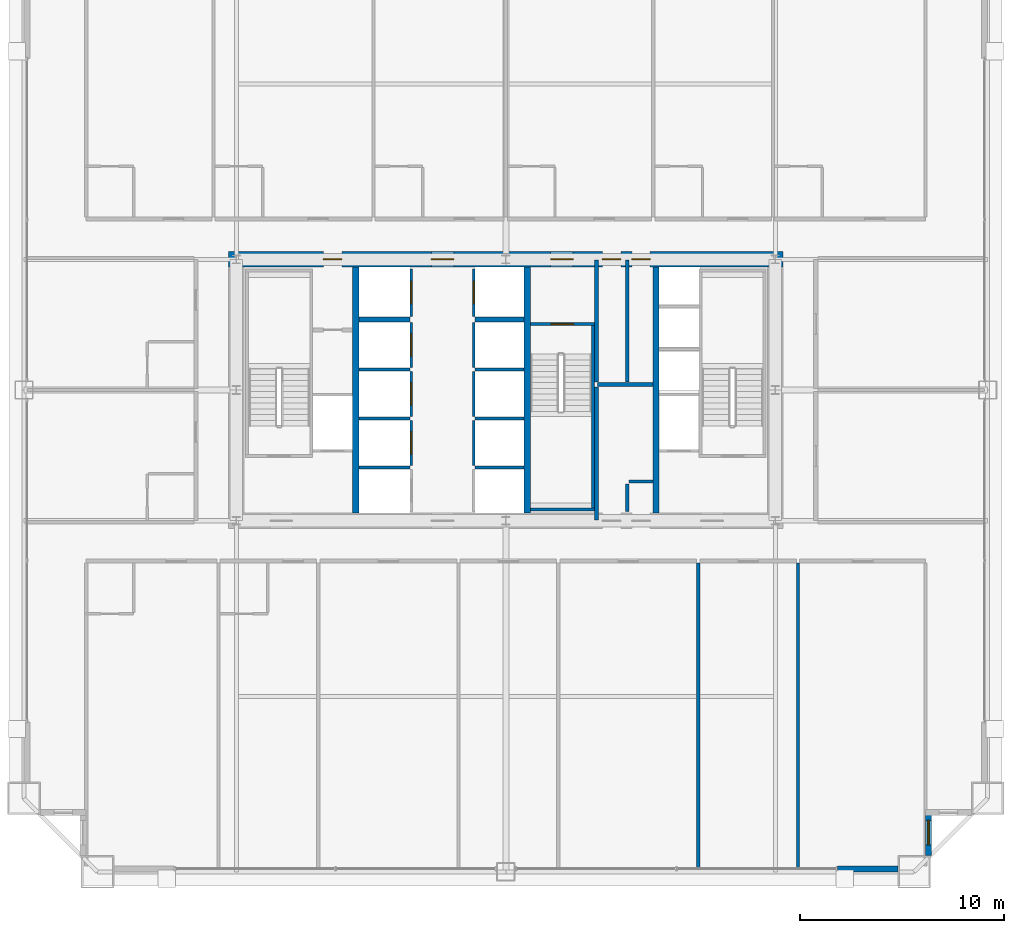
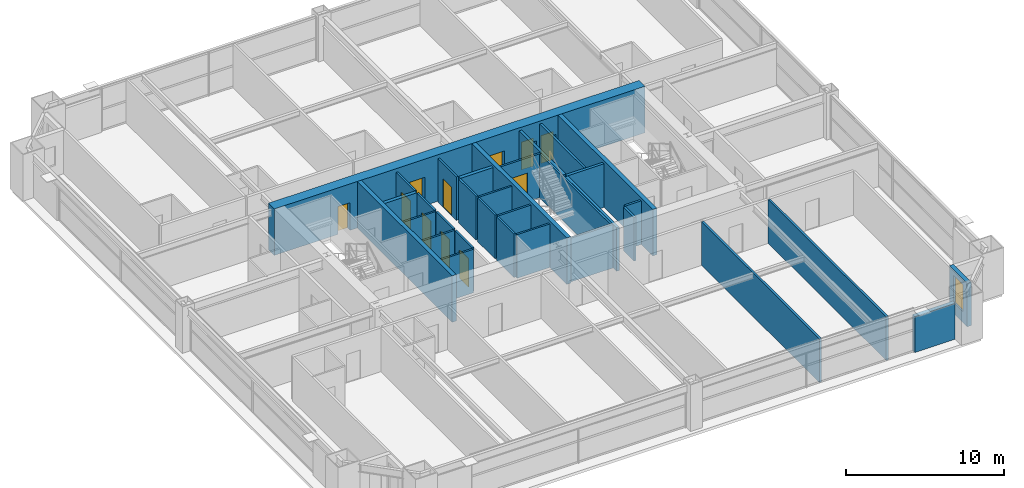
# One storey, part 36 of 39: 33 walls, 11 doors, 1 window, 12 openings.
"""IFC4 building model written with IfcOpenShell, lengths in metres."""

import ifcopenshell
import ifcopenshell.guid

model = None  # the IFC model being written
_history = None  # IfcOwnerHistory: only IFC2X3 demands one
_inside = {}  # id of a spatial element -> (the spatial element, [elements in it])
_under = {}  # id of a project, library or spatial element -> (it, [spatial elements below it])
_declared = {}  # id of a project -> (the project, [libraries it declares])
_typed = {}  # id of a type object -> (the type object, [elements of that type])
_made_of = {}  # id of a material, layer set ... -> (it, [elements and type objects made of it])


def new_model(schema):
    """Start an empty IFC model of exactly this schema.

    Asked for "IFC4X3", IfcOpenShell would pick the latest addendum, in which some entities
    have other attributes; the version numbers below select the first issue.
    IFC2X3 requires an IfcOwnerHistory on every rooted entity: one is made here for all.
    """
    global model, _history
    if schema == "IFC4X3":
        model = ifcopenshell.file(schema_version=(4, 3, 0, 0))
    else:
        model = ifcopenshell.file(schema=schema)
    _inside.clear()
    _under.clear()
    _declared.clear()
    _typed.clear()
    _made_of.clear()
    _history = None
    if model.schema == "IFC2X3":
        org = make("IfcOrganization", Name="unknown")
        user = make(
            "IfcPersonAndOrganization",
            ThePerson=make("IfcPerson", FamilyName="unknown"),
            TheOrganization=org,
        )
        app = make(
            "IfcApplication",
            ApplicationDeveloper=org,
            Version="unknown",
            ApplicationFullName="unknown",
            ApplicationIdentifier="unknown",
        )
        _history = make(
            "IfcOwnerHistory",
            OwningUser=user,
            OwningApplication=app,
            ChangeAction="ADDED",
            CreationDate=0,
        )
    return model


def make(cls, **values):
    """One entity of the class cls with the attributes given. An attribute that is None is left unset."""
    return model.create_entity(
        cls, **{name: value for name, value in values.items() if value is not None}
    )


def rooted(cls, **values):
    """An entity with a GlobalId (a new one), such as an element, a storey or a relation."""
    return make(cls, GlobalId=ifcopenshell.guid.new(), OwnerHistory=_history, **values)


def si_unit(unit_type, name, prefix=None):
    """IfcSIUnit, for example si_unit("LENGTHUNIT", "METRE", prefix="MILLI")."""
    return make("IfcSIUnit", UnitType=unit_type, Prefix=prefix, Name=name)


def assignment(units):
    """IfcUnitAssignment: the units of a project."""
    return None if units is None else make("IfcUnitAssignment", Units=units)


def point(xyz):
    """IfcCartesianPoint."""
    return None if xyz is None else make("IfcCartesianPoint", Coordinates=xyz)


def direction(xyz):
    """IfcDirection."""
    return None if xyz is None else make("IfcDirection", DirectionRatios=xyz)


def frame(location, z_axis=None, x_axis=None):
    """IfcAxis2Placement3D, a coordinate frame: its origin and axes. An axis left out is left unset."""
    return make(
        "IfcAxis2Placement3D",
        Location=point(location),
        Axis=direction(z_axis),
        RefDirection=direction(x_axis),
    )


def frame_2d(location, x_axis=None):
    """IfcAxis2Placement2D, a coordinate frame in the plane: its origin and x axis."""
    return make(
        "IfcAxis2Placement2D", Location=point(location), RefDirection=direction(x_axis)
    )


def origin():
    """The frame at (0, 0, 0) with its axes left unset."""
    return frame((0.0, 0.0, 0.0))


def place(relative_to, where):
    """IfcLocalPlacement: puts the frame where relative to a parent placement (None: the world)."""
    return make(
        "IfcLocalPlacement", PlacementRelTo=relative_to, RelativePlacement=where
    )


def context(
    kind, dimensions, precision=None, world=None, true_north=None, identifier=None
):
    """IfcGeometricRepresentationContext, for example the 3D "Model" context."""
    return make(
        "IfcGeometricRepresentationContext",
        ContextIdentifier=identifier,
        ContextType=kind,
        CoordinateSpaceDimension=dimensions,
        Precision=precision,
        WorldCoordinateSystem=world,
        TrueNorth=true_north,
    )


def subcontext(parent, identifier, kind, view, scale=None):
    """IfcGeometricRepresentationSubContext, for example "Body" below "Model"."""
    return make(
        "IfcGeometricRepresentationSubContext",
        ContextIdentifier=identifier,
        ContextType=kind,
        ParentContext=parent,
        TargetScale=scale,
        TargetView=view,
    )


def project(units=None, contexts=None):
    """IfcProject with its units and contexts."""
    return rooted(
        "IfcProject",
        Name="project",
        RepresentationContexts=contexts,
        UnitsInContext=assignment(units),
    )


def spatial(cls, under=None, at=None, **own):
    """A site, building, storey or space (cls), placed at a placement, below another one or the project."""
    s = rooted(cls, ObjectPlacement=at, **own)
    if under is not None:
        _under.setdefault(under.id(), (under, []))[1].append(s)
    return s


def profile(cls, at=None, kind="AREA", **sizes):
    """A parametric profile (cls). Its sizes go by their IFC names, for example OverallWidth=200.0."""
    return make(cls, ProfileType=kind, Position=at, **sizes)


def rectangle(**sizes):
    """IfcRectangleProfileDef."""
    return profile("IfcRectangleProfileDef", **sizes)


def extrude(swept, where, along, depth):
    """IfcExtrudedAreaSolid: the profile swept, set in the frame where, extruded along a direction by depth."""
    return make(
        "IfcExtrudedAreaSolid",
        SweptArea=swept,
        Position=where,
        ExtrudedDirection=direction(along),
        Depth=depth,
    )


def shape(context_of_items, identifier, shape_type, items):
    """IfcShapeRepresentation: the items that make up one representation, for example the "Body"."""
    return make(
        "IfcShapeRepresentation",
        ContextOfItems=context_of_items,
        RepresentationIdentifier=identifier,
        RepresentationType=shape_type,
        Items=items,
    )


def source(mapping_origin, context_of_items, identifier, shape_type, items):
    """IfcRepresentationMap: a shape defined once, which mapped items show again and again."""
    return make(
        "IfcRepresentationMap",
        MappingOrigin=mapping_origin,
        MappedRepresentation=shape(context_of_items, identifier, shape_type, items),
    )


def transform(
    local_origin,
    x_axis=None,
    y_axis=None,
    z_axis=None,
    scale=None,
    scale2=None,
    scale3=None,
    uniform=True,
):
    """IfcCartesianTransformationOperator3D, or its non-uniform kind. x_axis, y_axis, z_axis: its Axis1, 2, 3."""
    if uniform:
        return make(
            "IfcCartesianTransformationOperator3D",
            Axis1=direction(x_axis),
            Axis2=direction(y_axis),
            LocalOrigin=point(local_origin),
            Scale=scale,
            Axis3=direction(z_axis),
        )
    return make(
        "IfcCartesianTransformationOperator3DnonUniform",
        Axis1=direction(x_axis),
        Axis2=direction(y_axis),
        LocalOrigin=point(local_origin),
        Scale=scale,
        Axis3=direction(z_axis),
        Scale2=scale2,
        Scale3=scale3,
    )


def mapped(mapping_source, mapping_target):
    """IfcMappedItem: shows the shape of a source again, moved by a transform."""
    return make(
        "IfcMappedItem", MappingSource=mapping_source, MappingTarget=mapping_target
    )


def material(Name=None, Category=None):
    """IfcMaterial."""
    return make("IfcMaterial", Name=Name, Category=Category)


def layer(
    of_material, thickness, ventilated=None, Name=None, Category=None, Priority=None
):
    """IfcMaterialLayer: one layer of a wall or slab, of a material (None: an air gap)."""
    return make(
        "IfcMaterialLayer",
        Material=of_material,
        LayerThickness=thickness,
        IsVentilated=ventilated,
        Name=Name,
        Category=Category,
        Priority=Priority,
    )


def layer_set(layers, Name=None):
    """IfcMaterialLayerSet."""
    return make("IfcMaterialLayerSet", MaterialLayers=layers, LayerSetName=Name)


def made_of(thing, what):
    """Note that an element or type object is made of a material, layer set ...; save() writes the relation."""
    if what is not None:
        _made_of.setdefault(what.id(), (what, []))[1].append(thing)
    return thing


def type_object(cls, material=None, **own):
    """A type object (cls), such as IfcWallType, which elements share."""
    return made_of(rooted(cls, **own), material)


def element(
    cls,
    number,
    at=None,
    inside=None,
    cuts=None,
    type_object=None,
    material=None,
    context=None,
    identifier="Body",
    shape_type=None,
    held_by="IfcProductDefinitionShape",
    body=None,
    shapes=None,
    **own,
):
    """One element of the class cls, such as IfcWall. Its Tag is "e" and its number.

    at: its placement. inside: the storey or other place that contains it. cuts: it is an
    opening in that element (IfcRelVoidsElement). A single representation is given by context,
    identifier, shape_type and body (its items); several are given by shapes. held_by: the class
    of the entity that holds the representations. save() writes the other relations.
    """
    e = rooted(cls, Tag="e%d" % number, ObjectPlacement=at, **own)
    if body is not None:
        shapes = [shape(context, identifier, shape_type, body)]
    if shapes is not None:
        e.Representation = make(held_by, Representations=shapes)
    if inside is not None:
        _inside.setdefault(inside.id(), (inside, []))[1].append(e)
    if cuts is not None:
        rooted(
            "IfcRelVoidsElement", RelatingBuildingElement=cuts, RelatedOpeningElement=e
        )
    if type_object is not None:
        _typed.setdefault(type_object.id(), (type_object, []))[1].append(e)
    return made_of(e, material)


def fill(opening, filler):
    """IfcRelFillsElement: the door or window that sits in an opening."""
    return rooted(
        "IfcRelFillsElement",
        RelatingOpeningElement=opening,
        RelatedBuildingElement=filler,
    )


def aggregate(whole, parts):
    """IfcRelAggregates: a whole, such as a stair, and the parts it consists of."""
    return rooted("IfcRelAggregates", RelatingObject=whole, RelatedObjects=parts)


def save(model, path):
    """Write the relations noted so far, then the file.

    IfcRelAggregates (storeys below a building ...), IfcRelContainedInSpatialStructure (elements
    in a storey), IfcRelDefinesByType, IfcRelAssociatesMaterial and IfcRelDeclares: one each for
    every whole, place, type object, material and project.
    """
    for whole, parts in _under.values():
        aggregate(whole, parts)
    for where, things in _inside.values():
        rooted(
            "IfcRelContainedInSpatialStructure",
            RelatedElements=things,
            RelatingStructure=where,
        )
    for kind, things in _typed.values():
        rooted("IfcRelDefinesByType", RelatedObjects=things, RelatingType=kind)
    for what, things in _made_of.values():
        rooted("IfcRelAssociatesMaterial", RelatedObjects=things, RelatingMaterial=what)
    for by, libraries in _declared.values():
        rooted("IfcRelDeclares", RelatingContext=by, RelatedDefinitions=libraries)
    model.write(path)


model = new_model("IFC4")

# Units and contexts
model_context = context("Model", 3, precision=1e-05, world=origin(), true_north=direction((0.0, 1.0)))
body_context = subcontext(model_context, "Body", "Model", "MODEL_VIEW")
ifc_project = project(units=[si_unit("LENGTHUNIT", "METRE"), si_unit("AREAUNIT", "SQUARE_METRE"), si_unit("VOLUMEUNIT", "CUBIC_METRE"), si_unit("PLANEANGLEUNIT", "RADIAN"), si_unit("MASSUNIT", "GRAM", prefix="KILO"), si_unit("THERMODYNAMICTEMPERATUREUNIT", "KELVIN"), si_unit("POWERUNIT", "WATT")], contexts=[model_context])

# Site, building, storey
site_placement = place(None, origin())
site = spatial("IfcSite", under=ifc_project, at=site_placement, CompositionType="ELEMENT")
building_placement = place(site_placement, origin())
building = spatial("IfcBuilding", under=site, at=building_placement, Name="Yuzanri Waterfront Tower", CompositionType="ELEMENT")
storey_placement = place(building_placement, frame((0.0, 0.0, 156.0)))
storey = spatial("IfcBuildingStorey", under=building, at=storey_placement, Name="L41", CompositionType="ELEMENT", Elevation=156.0)

# Wall, opening, window
ifc_material_1 = material(Name="Honed Chongqing Dark Basalt Stone", Category="masonry")
ifc_layer_1 = layer(ifc_material_1, 0.300048828125)
ifc_layer_set_1 = layer_set([ifc_layer_1], Name="Honed Chongqing Dark Basalt Stone")
wall_type_1 = type_object("IfcWallType", Name="Bronze Rainscreen Insulated Spandrel Portal Wall 300", PredefinedType="SOLIDWALL", material=ifc_layer_set_1)
wall_1_placement = place(storey_placement, frame((57.699951171875, 3.0, 0.0), z_axis=(0.0, 0.0, 1.0), x_axis=(0.0, 1.0, 0.0)))
wall_1 = element("IfcWall", 1, at=wall_1_placement, inside=storey, type_object=wall_type_1, Name="L41 Notched Corner Masonry Wall SE-Y", PredefinedType="SOLIDWALL", context=body_context, shape_type="SweptSolid", body=[
    extrude(rectangle(XDim=2.25, YDim=0.300048828125, at=frame_2d((1.125, 0.0))), origin(), (0.0, 0.0, 1.0), 3.3798828125),
])
opening_1_placement = place(wall_1_placement, frame((0.52490234375, 0.0, 0.85009765625)))
opening_1 = element("IfcOpeningElement", 2, at=opening_1_placement, cuts=wall_1, Name="Opening WN-02", PredefinedType="OPENING", context=body_context, shape_type="SweptSolid", body=[
    extrude(rectangle(XDim=1.199951171875, YDim=2.10009765625, at=frame_2d((0.60009765625, 1.050048828125))), frame((0.0, 0.1650390625, 0.0), z_axis=(0.0, -1.0, 0.0), x_axis=(1.0, 0.0, 0.0)), (0.0, 0.0, 1.0), 0.329833984375),
])
ifc_material_2 = material(Name="Double-Silver Low-E Insulated Glass", Category="glass")
window_type = type_object("IfcWindowType", Name="Anodized Bronze Notched Corner Deep-Set Slot Window 1200x2100", PartitioningType="SINGLE_PANEL", PredefinedType="WINDOW", material=ifc_material_2)
shared_shape_1 = source(origin(), body_context, "Body", "SweptSolid", [
    extrude(rectangle(XDim=1.199951171875, YDim=2.10009765625, at=frame_2d((0.60009765625, 1.050048828125))), frame((0.0, 0.030029296875, 0.0), z_axis=(0.0, -1.0, 0.0), x_axis=(1.0, 0.0, 0.0)), (0.0, 0.0, 1.0), 0.06005859375),
])
window_placement = place(opening_1_placement, origin())
window = element("IfcWindow", 3, at=window_placement, inside=storey, type_object=window_type, Name="L41 Notched Corner Window SE-Y", OverallHeight=2.10009765625, OverallWidth=1.199951171875, PartitioningType="SINGLE_PANEL", PredefinedType="WINDOW", context=body_context, shape_type="MappedRepresentation", body=[
    mapped(shared_shape_1, transform((0.0, 0.0, 0.0), scale=1.0)),
])
fill(opening_1, window)

# Wall, openings, doors
ifc_material_3 = material(Name="Concrete C55", Category="concrete")
ifc_layer_2 = layer(ifc_material_3, 0.75)
ifc_layer_set_2 = layer_set([ifc_layer_2], Name="Concrete C55")
wall_type_2 = type_object("IfcWallType", Name="Concrete C55 Low-Mid Zone Core Shear Wall 750", PredefinedType="SHEAR", material=ifc_layer_set_2)
wall_2_placement = place(storey_placement, frame((23.425048828125, 32.199951171875, 0.0), z_axis=(0.0, 0.0, 1.0), x_axis=(1.0, 0.0, 0.0)))
wall_2 = element("IfcWall", 4, at=wall_2_placement, inside=storey, type_object=wall_type_2, Name="L41 Core North Shear Wall", PredefinedType="SHEAR", context=body_context, shape_type="SweptSolid", body=[
    extrude(rectangle(XDim=27.14990234375, YDim=0.75, at=frame_2d((13.574951171875, 0.0))), origin(), (0.0, 0.0, 1.0), 3.60009765625),
])
opening_2_placement = place(wall_2_placement, frame((4.64501953125, 0.0, 0.0)))
opening_2 = element("IfcOpeningElement", 5, at=opening_2_placement, cuts=wall_2, Name="Opening FD-0900", PredefinedType="OPENING", context=body_context, shape_type="SweptSolid", body=[
    extrude(rectangle(XDim=0.89990234375, YDim=2.14990234375, at=frame_2d((0.449951171875, 1.074951171875))), frame((0.0, 0.389892578125, 0.0), z_axis=(0.0, -1.0, 0.0), x_axis=(1.0, 0.0, 0.0)), (0.0, 0.0, 1.0), 0.77978515625),
])
opening_3_placement = place(wall_2_placement, frame((9.925048828125, 0.0, 0.0)))
opening_3 = element("IfcOpeningElement", 6, at=opening_3_placement, cuts=wall_2, Name="Opening FD-1100", PredefinedType="OPENING", context=body_context, shape_type="SweptSolid", body=[
    extrude(rectangle(XDim=1.10009765625, YDim=2.199951171875, at=frame_2d((0.550048828125, 1.10009765625))), frame((0.0, 0.389892578125, 0.0), z_axis=(0.0, -1.0, 0.0), x_axis=(1.0, 0.0, 0.0)), (0.0, 0.0, 1.0), 0.77978515625),
])
opening_4_placement = place(wall_2_placement, frame((15.77490234375, 0.0, 0.0)))
opening_4 = element("IfcOpeningElement", 7, at=opening_4_placement, cuts=wall_2, Name="Opening FD-1100", PredefinedType="OPENING", context=body_context, shape_type="SweptSolid", body=[
    extrude(rectangle(XDim=1.10009765625, YDim=2.199951171875, at=frame_2d((0.550048828125, 1.10009765625))), frame((0.0, 0.389892578125, 0.0), z_axis=(0.0, -1.0, 0.0), x_axis=(1.0, 0.0, 0.0)), (0.0, 0.0, 1.0), 0.77978515625),
])
opening_5_placement = place(wall_2_placement, frame((18.304931640625, 0.0, 0.0)))
opening_5 = element("IfcOpeningElement", 8, at=opening_5_placement, cuts=wall_2, Name="Opening FD-0900", PredefinedType="OPENING", context=body_context, shape_type="SweptSolid", body=[
    extrude(rectangle(XDim=0.89990234375, YDim=2.14990234375, at=frame_2d((0.449951171875, 1.074951171875))), frame((0.0, 0.389892578125, 0.0), z_axis=(0.0, -1.0, 0.0), x_axis=(1.0, 0.0, 0.0)), (0.0, 0.0, 1.0), 0.77978515625),
])
opening_6_placement = place(wall_2_placement, frame((19.7451171875, 0.0, 0.0)))
opening_6 = element("IfcOpeningElement", 9, at=opening_6_placement, cuts=wall_2, Name="Opening FD-0900", PredefinedType="OPENING", context=body_context, shape_type="SweptSolid", body=[
    extrude(rectangle(XDim=0.89990234375, YDim=2.14990234375, at=frame_2d((0.449951171875, 1.074951171875))), frame((0.0, 0.389892578125, 0.0), z_axis=(0.0, -1.0, 0.0), x_axis=(1.0, 0.0, 0.0)), (0.0, 0.0, 1.0), 0.77978515625),
])
ifc_material_4 = material(Name="Painted Galvanized Fire Steel", Category="steel")
door_type_1 = type_object("IfcDoorType", Name="Smoke-Proof Stair and Lobby Fire Door 1100x2200", OperationType="NOTDEFINED", PredefinedType="DOOR", material=ifc_material_4)
shared_shape_2 = source(origin(), body_context, "Body", "SweptSolid", [
    extrude(rectangle(XDim=1.10009765625, YDim=2.199951171875, at=frame_2d((0.550048828125, 1.10009765625))), frame((0.0, 0.02490234375, 0.0), z_axis=(0.0, -1.0, 0.0), x_axis=(1.0, 0.0, 0.0)), (0.0, 0.0, 1.0), 0.050048828125),
])
door_1_placement = place(opening_3_placement, origin())
door_1 = element("IfcDoor", 10, at=door_1_placement, inside=storey, type_object=door_type_1, Name="L41 Central Lift Lobby North Door", OperationType="SINGLE_SWING_RIGHT", OverallHeight=2.199951171875, OverallWidth=1.10009765625, PredefinedType="DOOR", context=body_context, shape_type="MappedRepresentation", body=[
    mapped(shared_shape_2, transform((0.0, 0.0, 0.0), scale=1.0)),
])
fill(opening_3, door_1)
door_2_placement = place(opening_4_placement, origin())
door_2 = element("IfcDoor", 11, at=door_2_placement, inside=storey, type_object=door_type_1, Name="L41 North Stair Lobby Door", OperationType="SINGLE_SWING_LEFT", OverallHeight=2.199951171875, OverallWidth=1.10009765625, PredefinedType="DOOR", context=body_context, shape_type="MappedRepresentation", body=[
    mapped(shared_shape_2, transform((0.0, 0.0, 0.0), scale=1.0)),
])
fill(opening_4, door_2)
ifc_material_5 = material(Name="Painted Galvanized Fire Steel", Category="steel")
door_type_2 = type_object("IfcDoorType", Name="Riser and Service Room Fire Door 900x2150", OperationType="NOTDEFINED", PredefinedType="DOOR", material=ifc_material_5)
shared_shape_3 = source(origin(), body_context, "Body", "SweptSolid", [
    extrude(rectangle(XDim=0.89990234375, YDim=2.14990234375, at=frame_2d((0.449951171875, 1.074951171875))), frame((0.0, 0.02490234375, 0.0), z_axis=(0.0, -1.0, 0.0), x_axis=(1.0, 0.0, 0.0)), (0.0, 0.0, 1.0), 0.050048828125),
])
door_3_placement = place(opening_2_placement, origin())
door_3 = element("IfcDoor", 12, at=door_3_placement, inside=storey, type_object=door_type_2, Name="L41 Telecom Riser Door", OperationType="SINGLE_SWING_LEFT", OverallHeight=2.14990234375, OverallWidth=0.89990234375, PredefinedType="DOOR", context=body_context, shape_type="MappedRepresentation", body=[
    mapped(shared_shape_3, transform((0.0, 0.0, 0.0), scale=1.0)),
])
fill(opening_2, door_3)
door_4_placement = place(opening_5_placement, origin())
door_4 = element("IfcDoor", 13, at=door_4_placement, inside=storey, type_object=door_type_2, Name="L41 Common Store Room", OperationType="SINGLE_SWING_LEFT", OverallHeight=2.14990234375, OverallWidth=0.89990234375, PredefinedType="DOOR", context=body_context, shape_type="MappedRepresentation", body=[
    mapped(shared_shape_3, transform((0.0, 0.0, 0.0), scale=1.0)),
])
fill(opening_5, door_4)
door_5_placement = place(opening_6_placement, origin())
door_5 = element("IfcDoor", 14, at=door_5_placement, inside=storey, type_object=door_type_2, Name="L41 Linen Store Room", OperationType="SINGLE_SWING_RIGHT", OverallHeight=2.14990234375, OverallWidth=0.89990234375, PredefinedType="DOOR", context=body_context, shape_type="MappedRepresentation", body=[
    mapped(shared_shape_3, transform((0.0, 0.0, 0.0), scale=1.0)),
])
fill(opening_6, door_5)

# Wall, opening, door
ifc_material_6 = material(Name="Concrete C40", Category="concrete")
ifc_layer_3 = layer(ifc_material_6, 0.139892578125)
ifc_layer_set_3 = layer_set([ifc_layer_3], Name="Concrete C40")
wall_type_3 = type_object("IfcWallType", Name="Core Stair Liner and Hoistway Shaft Wall 140", PredefinedType="SOLIDWALL", material=ifc_layer_set_3)
wall_3_placement = place(storey_placement, frame((32.3701171875, 22.10009765625, 0.0), z_axis=(0.0, 0.0, 1.0), x_axis=(0.0, 1.0, 0.0)))
wall_3 = element("IfcWall", 15, at=wall_3_placement, inside=storey, type_object=wall_type_3, Name="L41 Lift PL-02 Front Shaft Wall", PredefinedType="SOLIDWALL", context=body_context, shape_type="SweptSolid", body=[
    extrude(rectangle(XDim=2.199951171875, YDim=0.139892578125, at=frame_2d((1.10009765625, 0.0))), origin(), (0.0, 0.0, 1.0), 3.3798828125),
])
opening_7_placement = place(wall_3_placement, frame((0.550048828125, 0.0, 0.0)))
opening_7 = element("IfcOpeningElement", 16, at=opening_7_placement, cuts=wall_3, Name="Opening LD-PL-02", PredefinedType="OPENING", context=body_context, shape_type="SweptSolid", body=[
    extrude(rectangle(XDim=1.10009765625, YDim=2.199951171875, at=frame_2d((0.550048828125, 1.10009765625))), frame((0.0, 0.0849609375, 0.0), z_axis=(0.0, -1.0, 0.0), x_axis=(1.0, 0.0, 0.0)), (0.0, 0.0, 1.0), 0.169677734375),
])
ifc_material_7 = material(Name="Brushed Bronze and Stainless Steel Cab", Category="steel")
door_type_3 = type_object("IfcDoorType", Name="Center-Parting Bronze Lift Landing Sliding Door 1100x2200", OperationType="NOTDEFINED", PredefinedType="DOOR", material=ifc_material_7)
shared_shape_4 = source(origin(), body_context, "Body", "SweptSolid", [
    extrude(rectangle(XDim=1.10009765625, YDim=2.199951171875, at=frame_2d((0.550048828125, 1.10009765625))), frame((0.0, 0.02490234375, 0.0), z_axis=(0.0, -1.0, 0.0), x_axis=(1.0, 0.0, 0.0)), (0.0, 0.0, 1.0), 0.050048828125),
])
door_6_placement = place(opening_7_placement, origin())
door_6 = element("IfcDoor", 17, at=door_6_placement, inside=storey, type_object=door_type_3, Name="L41 PL-02 Lift Landing Sliding Door", OperationType="SLIDING_TO_RIGHT", OverallHeight=2.199951171875, OverallWidth=1.10009765625, PredefinedType="DOOR", context=body_context, shape_type="MappedRepresentation", body=[
    mapped(shared_shape_4, transform((0.0, 0.0, 0.0), scale=1.0)),
])
fill(opening_7, door_6)

wall_4_placement = place(storey_placement, frame((32.3701171875, 24.5, 0.0), z_axis=(0.0, 0.0, 1.0), x_axis=(0.0, 1.0, 0.0)))
wall_4 = element("IfcWall", 18, at=wall_4_placement, inside=storey, type_object=wall_type_3, Name="L41 Lift PL-03 Front Shaft Wall", PredefinedType="SOLIDWALL", context=body_context, shape_type="SweptSolid", body=[
    extrude(rectangle(XDim=2.199951171875, YDim=0.139892578125, at=frame_2d((1.10009765625, 0.0))), origin(), (0.0, 0.0, 1.0), 3.3798828125),
])
opening_8_placement = place(wall_4_placement, frame((0.550048828125, 0.0, 0.0)))
opening_8 = element("IfcOpeningElement", 19, at=opening_8_placement, cuts=wall_4, Name="Opening LD-PL-03", PredefinedType="OPENING", context=body_context, shape_type="SweptSolid", body=[
    extrude(rectangle(XDim=1.10009765625, YDim=2.199951171875, at=frame_2d((0.550048828125, 1.10009765625))), frame((0.0, 0.0849609375, 0.0), z_axis=(0.0, -1.0, 0.0), x_axis=(1.0, 0.0, 0.0)), (0.0, 0.0, 1.0), 0.169677734375),
])
door_7_placement = place(opening_8_placement, origin())
door_7 = element("IfcDoor", 20, at=door_7_placement, inside=storey, type_object=door_type_3, Name="L41 PL-03 Lift Landing Sliding Door", OperationType="SLIDING_TO_LEFT", OverallHeight=2.199951171875, OverallWidth=1.10009765625, PredefinedType="DOOR", context=body_context, shape_type="MappedRepresentation", body=[
    mapped(shared_shape_4, transform((0.0, 0.0, 0.0), scale=1.0)),
])
fill(opening_8, door_7)

wall_5_placement = place(storey_placement, frame((32.3701171875, 26.89990234375, 0.0), z_axis=(0.0, 0.0, 1.0), x_axis=(0.0, 1.0, 0.0)))
wall_5 = element("IfcWall", 21, at=wall_5_placement, inside=storey, type_object=wall_type_3, Name="L41 Lift PL-04 Front Shaft Wall", PredefinedType="SOLIDWALL", context=body_context, shape_type="SweptSolid", body=[
    extrude(rectangle(XDim=2.2001953125, YDim=0.139892578125, at=frame_2d((1.10009765625, 0.0))), origin(), (0.0, 0.0, 1.0), 3.3798828125),
])
opening_9_placement = place(wall_5_placement, frame((0.550048828125, 0.0, 0.0)))
opening_9 = element("IfcOpeningElement", 22, at=opening_9_placement, cuts=wall_5, Name="Opening LD-PL-04", PredefinedType="OPENING", context=body_context, shape_type="SweptSolid", body=[
    extrude(rectangle(XDim=1.10009765625, YDim=2.199951171875, at=frame_2d((0.550048828125, 1.10009765625))), frame((0.0, 0.0849609375, 0.0), z_axis=(0.0, -1.0, 0.0), x_axis=(1.0, 0.0, 0.0)), (0.0, 0.0, 1.0), 0.169677734375),
])
door_8_placement = place(opening_9_placement, origin())
door_8 = element("IfcDoor", 23, at=door_8_placement, inside=storey, type_object=door_type_3, Name="L41 PL-04 Lift Landing Sliding Door", OperationType="SLIDING_TO_RIGHT", OverallHeight=2.199951171875, OverallWidth=1.10009765625, PredefinedType="DOOR", context=body_context, shape_type="MappedRepresentation", body=[
    mapped(shared_shape_4, transform((0.0, 0.0, 0.0), scale=1.0)),
])
fill(opening_9, door_8)

wall_6_placement = place(storey_placement, frame((32.3701171875, 29.39990234375, 0.0), z_axis=(0.0, 0.0, 1.0), x_axis=(0.0, 1.0, 0.0)))
wall_6 = element("IfcWall", 24, at=wall_6_placement, inside=storey, type_object=wall_type_3, Name="L41 Lift SL-01 Front Shaft Wall", PredefinedType="SOLIDWALL", context=body_context, shape_type="SweptSolid", body=[
    extrude(rectangle(XDim=2.340087890625, YDim=0.139892578125, at=frame_2d((1.169921875, 0.0))), origin(), (0.0, 0.0, 1.0), 3.3798828125),
])
opening_10_placement = place(wall_6_placement, frame((0.6201171875, 0.0, 0.0)))
opening_10 = element("IfcOpeningElement", 25, at=opening_10_placement, cuts=wall_6, Name="Opening LD-SL-01", PredefinedType="OPENING", context=body_context, shape_type="SweptSolid", body=[
    extrude(rectangle(XDim=1.10009765625, YDim=2.199951171875, at=frame_2d((0.550048828125, 1.10009765625))), frame((0.0, 0.0849609375, 0.0), z_axis=(0.0, -1.0, 0.0), x_axis=(1.0, 0.0, 0.0)), (0.0, 0.0, 1.0), 0.169677734375),
])
door_9_placement = place(opening_10_placement, origin())
door_9 = element("IfcDoor", 26, at=door_9_placement, inside=storey, type_object=door_type_3, Name="L41 SL-01 Lift Landing Sliding Door", OperationType="SLIDING_TO_LEFT", OverallHeight=2.199951171875, OverallWidth=1.10009765625, PredefinedType="DOOR", context=body_context, shape_type="MappedRepresentation", body=[
    mapped(shared_shape_4, transform((0.0, 0.0, 0.0), scale=1.0)),
])
fill(opening_10, door_9)

wall_7_placement = place(storey_placement, frame((35.429931640625, 29.39990234375, 0.0), z_axis=(0.0, 0.0, 1.0), x_axis=(0.0, 1.0, 0.0)))
wall_7 = element("IfcWall", 27, at=wall_7_placement, inside=storey, type_object=wall_type_3, Name="L41 Lift SL-02 Front Shaft Wall", PredefinedType="SOLIDWALL", context=body_context, shape_type="SweptSolid", body=[
    extrude(rectangle(XDim=2.340087890625, YDim=0.139892578125, at=frame_2d((1.169921875, 0.0))), origin(), (0.0, 0.0, 1.0), 3.3798828125),
])
opening_11_placement = place(wall_7_placement, frame((0.6201171875, 0.0, 0.0)))
opening_11 = element("IfcOpeningElement", 28, at=opening_11_placement, cuts=wall_7, Name="Opening LD-SL-02", PredefinedType="OPENING", context=body_context, shape_type="SweptSolid", body=[
    extrude(rectangle(XDim=1.10009765625, YDim=2.199951171875, at=frame_2d((0.550048828125, 1.10009765625))), frame((0.0, 0.0849609375, 0.0), z_axis=(0.0, -1.0, 0.0), x_axis=(1.0, 0.0, 0.0)), (0.0, 0.0, 1.0), 0.169677734375),
])
door_10_placement = place(opening_11_placement, origin())
door_10 = element("IfcDoor", 29, at=door_10_placement, inside=storey, type_object=door_type_3, Name="L41 SL-02 Lift Landing Sliding Door", OperationType="SLIDING_TO_RIGHT", OverallHeight=2.199951171875, OverallWidth=1.10009765625, PredefinedType="DOOR", context=body_context, shape_type="MappedRepresentation", body=[
    mapped(shared_shape_4, transform((0.0, 0.0, 0.0), scale=1.0)),
])
fill(opening_11, door_10)

wall_8_placement = place(storey_placement, frame((38.199951171875, 29.030029296875, 0.0), z_axis=(0.0, 0.0, 1.0), x_axis=(1.0, 0.0, 0.0)))
wall_8 = element("IfcWall", 30, at=wall_8_placement, inside=storey, type_object=wall_type_3, Name="L41 Shaft Wall STW-L41-ST-03-N", PredefinedType="SOLIDWALL", context=body_context, shape_type="SweptSolid", body=[
    extrude(rectangle(XDim=3.14013671875, YDim=0.139892578125, at=frame_2d((1.570068359375, 0.0))), origin(), (0.0, 0.0, 1.0), 3.3798828125),
])
opening_12_placement = place(wall_8_placement, frame((1.02001953125, 0.0, 0.0)))
opening_12 = element("IfcOpeningElement", 31, at=opening_12_placement, cuts=wall_8, Name="Opening FD-1100", PredefinedType="OPENING", context=body_context, shape_type="SweptSolid", body=[
    extrude(rectangle(XDim=1.10009765625, YDim=2.199951171875, at=frame_2d((0.550048828125, 1.10009765625))), frame((0.0, 0.0849609375, 0.0), z_axis=(0.0, -1.0, 0.0), x_axis=(1.0, 0.0, 0.0)), (0.0, 0.0, 1.0), 0.169677734375),
])
door_11_placement = place(opening_12_placement, origin())
door_11 = element("IfcDoor", 32, at=door_11_placement, inside=storey, type_object=door_type_1, Name="L41 Stair ST-03 Fire Door", OperationType="SINGLE_SWING_LEFT", OverallHeight=2.199951171875, OverallWidth=1.10009765625, PredefinedType="DOOR", context=body_context, shape_type="MappedRepresentation", body=[
    mapped(shared_shape_2, transform((0.0, 0.0, 0.0), scale=1.0)),
])
fill(opening_12, door_11)

# Walls
ifc_material_8 = material(Name="Concrete C50", Category="concrete")
ifc_layer_4 = layer(ifc_material_8, 0.300048828125)
ifc_layer_set_4 = layer_set([ifc_layer_4], Name="Concrete C50")
wall_type_4 = type_object("IfcWallType", Name="Concrete C50 Internal Core Shaft Structural Wall 300", PredefinedType="SOLIDWALL", material=ifc_layer_set_4)
shared_shape_5 = source(origin(), body_context, "Body", "SweptSolid", [
    extrude(rectangle(XDim=12.050048828125, YDim=0.300048828125, at=frame_2d((6.02490234375, 0.0))), origin(), (0.0, 0.0, 1.0), 3.60009765625),
])
for number, where, z_axis, x_axis, name in (
    (33, (29.64990234375, 19.77490234375, 0.0), (0.0, 0.0, 1.0), (0.0, 1.0, 0.0), "L41 Core Internal Structural Web Wall 1"),
    (34, (38.050048828125, 19.77490234375, 0.0), (0.0, 0.0, 1.0), (0.0, 1.0, 0.0), "L41 Core Internal Structural Web Wall 2"),
    (35, (44.35009765625, 19.77490234375, 0.0), (0.0, 0.0, 1.0), (0.0, 1.0, 0.0), "L41 Core Internal Structural Web Wall 3"),
):
    element("IfcWall", number, at=place(storey_placement, frame(where, z_axis=z_axis, x_axis=x_axis)), inside=storey, type_object=wall_type_4, Name=name, PredefinedType="SOLIDWALL", context=body_context, shape_type="MappedRepresentation", body=[
        mapped(shared_shape_5, transform((0.0, 0.0, 0.0), scale=1.0)),
    ])
shared_shape_6 = source(origin(), body_context, "Body", "SweptSolid", [
    extrude(rectangle(XDim=2.949951171875, YDim=0.300048828125, at=frame_2d((1.47509765625, 0.0))), origin(), (0.0, 0.0, 1.0), 2.77490234375),
])
wall_9_placement = place(storey_placement, frame((53.25, 2.35009765625, 0.0), z_axis=(0.0, 0.0, 1.0), x_axis=(1.0, 0.0, 0.0)))
element("IfcWall", 36, at=wall_9_placement, inside=storey, type_object=wall_type_1, Name="L41 S Right Braced Masonry Shoulder", PredefinedType="SOLIDWALL", context=body_context, shape_type="MappedRepresentation", body=[
    mapped(shared_shape_6, transform((0.0, 0.0, 0.0), scale=1.0)),
])
shared_shape_7 = source(origin(), body_context, "Body", "SweptSolid", [
    extrude(rectangle(XDim=2.5, YDim=0.139892578125, at=frame_2d((1.25, 0.0))), origin(), (0.0, 0.0, 1.0), 3.3798828125),
])
for number, where, z_axis, x_axis, name in (
    (37, (29.800048828125, 22.0, 0.0), (0.0, 0.0, 1.0), (1.0, 0.0, 0.0), "L41 Lift PL-01 Divider Wall"),
    (38, (29.800048828125, 24.39990234375, 0.0), (0.0, 0.0, 1.0), (1.0, 0.0, 0.0), "L41 Lift PL-02 Divider Wall"),
    (39, (29.800048828125, 26.800048828125, 0.0), (0.0, 0.0, 1.0), (1.0, 0.0, 0.0), "L41 Lift PL-03 Divider Wall"),
):
    element("IfcWall", number, at=place(storey_placement, frame(where, z_axis=z_axis, x_axis=x_axis)), inside=storey, type_object=wall_type_3, Name=name, PredefinedType="SOLIDWALL", context=body_context, shape_type="MappedRepresentation", body=[
        mapped(shared_shape_7, transform((0.0, 0.0, 0.0), scale=1.0)),
    ])
ifc_material_9 = material(Name="Concrete C40", Category="concrete")
ifc_layer_5 = layer(ifc_material_9, 0.25)
ifc_layer_set_5 = layer_set([ifc_layer_5], Name="Concrete C40")
wall_type_5 = type_object("IfcWallType", Name="Smoke-Proof Stair and Lift Shaft Wall 250", PredefinedType="SOLIDWALL", material=ifc_layer_set_5)
shared_shape_8 = source(origin(), body_context, "Body", "SweptSolid", [
    extrude(rectangle(XDim=2.5, YDim=0.25, at=frame_2d((1.25, 0.0))), origin(), (0.0, 0.0, 1.0), 3.3798828125),
])
wall_10_placement = place(storey_placement, frame((29.800048828125, 29.25, 0.0), z_axis=(0.0, 0.0, 1.0), x_axis=(1.0, 0.0, 0.0)))
element("IfcWall", 40, at=wall_10_placement, inside=storey, type_object=wall_type_5, Name="L41 Lift SL-01 South Shaft Wall", PredefinedType="SOLIDWALL", context=body_context, shape_type="MappedRepresentation", body=[
    mapped(shared_shape_8, transform((0.0, 0.0, 0.0), scale=1.0)),
])
shared_shape_9 = source(origin(), body_context, "Body", "SweptSolid", [
    extrude(rectangle(XDim=2.39990234375, YDim=0.139892578125, at=frame_2d((1.199951171875, 0.0))), origin(), (0.0, 0.0, 1.0), 3.3798828125),
])
for number, where, z_axis, x_axis, name in (
    (41, (35.5, 22.0, 0.0), (0.0, 0.0, 1.0), (1.0, 0.0, 0.0), "L41 Lift PL-05 Divider Wall"),
    (42, (35.5, 24.39990234375, 0.0), (0.0, 0.0, 1.0), (1.0, 0.0, 0.0), "L41 Lift PL-06 Divider Wall"),
    (43, (35.5, 26.800048828125, 0.0), (0.0, 0.0, 1.0), (1.0, 0.0, 0.0), "L41 Lift PL-07 Divider Wall"),
):
    element("IfcWall", number, at=place(storey_placement, frame(where, z_axis=z_axis, x_axis=x_axis)), inside=storey, type_object=wall_type_3, Name=name, PredefinedType="SOLIDWALL", context=body_context, shape_type="MappedRepresentation", body=[
        mapped(shared_shape_9, transform((0.0, 0.0, 0.0), scale=1.0)),
    ])
shared_shape_10 = source(origin(), body_context, "Body", "SweptSolid", [
    extrude(rectangle(XDim=2.199951171875, YDim=0.139892578125, at=frame_2d((1.10009765625, 0.0))), origin(), (0.0, 0.0, 1.0), 3.3798828125),
])
for number, where, z_axis, x_axis, name in (
    (44, (35.429931640625, 22.10009765625, 0.0), (0.0, 0.0, 1.0), (0.0, 1.0, 0.0), "L41 Lift PL-06 Front Shaft Wall"),
    (45, (35.429931640625, 24.5, 0.0), (0.0, 0.0, 1.0), (0.0, 1.0, 0.0), "L41 Lift PL-07 Front Shaft Wall"),
):
    element("IfcWall", number, at=place(storey_placement, frame(where, z_axis=z_axis, x_axis=x_axis)), inside=storey, type_object=wall_type_3, Name=name, PredefinedType="SOLIDWALL", context=body_context, shape_type="MappedRepresentation", body=[
        mapped(shared_shape_10, transform((0.0, 0.0, 0.0), scale=1.0)),
    ])
shared_shape_11 = source(origin(), body_context, "Body", "SweptSolid", [
    extrude(rectangle(XDim=2.2001953125, YDim=0.139892578125, at=frame_2d((1.10009765625, 0.0))), origin(), (0.0, 0.0, 1.0), 3.3798828125),
])
wall_11_placement = place(storey_placement, frame((35.429931640625, 26.89990234375, 0.0), z_axis=(0.0, 0.0, 1.0), x_axis=(0.0, 1.0, 0.0)))
element("IfcWall", 46, at=wall_11_placement, inside=storey, type_object=wall_type_3, Name="L41 Lift PL-08 Front Shaft Wall", PredefinedType="SOLIDWALL", context=body_context, shape_type="MappedRepresentation", body=[
    mapped(shared_shape_11, transform((0.0, 0.0, 0.0), scale=1.0)),
])
shared_shape_12 = source(origin(), body_context, "Body", "SweptSolid", [
    extrude(rectangle(XDim=2.39990234375, YDim=0.25, at=frame_2d((1.199951171875, 0.0))), origin(), (0.0, 0.0, 1.0), 3.3798828125),
])
wall_12_placement = place(storey_placement, frame((35.5, 29.25, 0.0), z_axis=(0.0, 0.0, 1.0), x_axis=(1.0, 0.0, 0.0)))
element("IfcWall", 47, at=wall_12_placement, inside=storey, type_object=wall_type_5, Name="L41 Lift SL-02 South Shaft Wall", PredefinedType="SOLIDWALL", context=body_context, shape_type="MappedRepresentation", body=[
    mapped(shared_shape_12, transform((0.0, 0.0, 0.0), scale=1.0)),
])
shared_shape_13 = source(origin(), body_context, "Body", "SweptSolid", [
    extrude(rectangle(XDim=3.14013671875, YDim=0.139892578125, at=frame_2d((1.570068359375, 0.0))), origin(), (0.0, 0.0, 1.0), 3.3798828125),
])
wall_13_placement = place(storey_placement, frame((38.199951171875, 19.949951171875, 0.0), z_axis=(0.0, 0.0, 1.0), x_axis=(1.0, 0.0, 0.0)))
element("IfcWall", 48, at=wall_13_placement, inside=storey, type_object=wall_type_3, Name="L41 Stair ST-03 South Shaft Wall", PredefinedType="SOLIDWALL", context=body_context, shape_type="MappedRepresentation", body=[
    mapped(shared_shape_13, transform((0.0, 0.0, 0.0), scale=1.0)),
])
shared_shape_14 = source(origin(), body_context, "Body", "SweptSolid", [
    extrude(rectangle(XDim=8.93994140625, YDim=0.139892578125, at=frame_2d((4.469970703125, 0.0))), origin(), (0.0, 0.0, 1.0), 3.3798828125),
])
wall_14_placement = place(storey_placement, frame((41.27001953125, 20.02001953125, 0.0), z_axis=(0.0, 0.0, 1.0), x_axis=(0.0, 1.0, 0.0)))
element("IfcWall", 49, at=wall_14_placement, inside=storey, type_object=wall_type_3, Name="L41 Stair ST-03 East Shaft Wall", PredefinedType="SOLIDWALL", context=body_context, shape_type="MappedRepresentation", body=[
    mapped(shared_shape_14, transform((0.0, 0.0, 0.0), scale=1.0)),
])
ifc_material_10 = material(Name="Gypsum Fireboard Acoustic Stud Wall", Category="gypsum")
ifc_layer_6 = layer(ifc_material_10, 0.159912109375)
ifc_layer_set_6 = layer_set([ifc_layer_6], Name="Gypsum Fireboard Acoustic Stud Wall")
wall_type_6 = type_object("IfcWallType", Name="Acoustic Suite Demising Partition 160", PredefinedType="PARTITIONING", material=ifc_layer_set_6)
shared_shape_15 = source(origin(), body_context, "Body", "SweptSolid", [
    extrude(rectangle(XDim=1.33984375, YDim=0.159912109375, at=frame_2d((0.669921875, 0.0))), origin(), (0.0, 0.0, 1.0), 3.3798828125),
])
wall_15_placement = place(storey_placement, frame((42.949951171875, 19.860107421875, 0.0), z_axis=(0.0, 0.0, 1.0), x_axis=(0.0, 1.0, 0.0)))
element("IfcWall", 50, at=wall_15_placement, inside=storey, type_object=wall_type_6, Name="L41 East Wet Riser West Wall", PredefinedType="PARTITIONING", context=body_context, shape_type="MappedRepresentation", body=[
    mapped(shared_shape_15, transform((0.0, 0.0, 0.0), scale=1.0)),
])
shared_shape_16 = source(origin(), body_context, "Body", "SweptSolid", [
    extrude(rectangle(XDim=1.169921875, YDim=0.159912109375, at=frame_2d((0.5849609375, 0.0))), origin(), (0.0, 0.0, 1.0), 3.3798828125),
])
wall_16_placement = place(storey_placement, frame((43.030029296875, 21.320068359375, 0.0), z_axis=(0.0, 0.0, 1.0), x_axis=(1.0, 0.0, 0.0)))
element("IfcWall", 51, at=wall_16_placement, inside=storey, type_object=wall_type_6, Name="L41 East Wet Riser North Wall", PredefinedType="PARTITIONING", context=body_context, shape_type="MappedRepresentation", body=[
    mapped(shared_shape_16, transform((0.0, 0.0, 0.0), scale=1.0)),
])
ifc_material_11 = material(Name="Autoclaved Aerated Concrete Blockwork", Category="masonry")
ifc_layer_7 = layer(ifc_material_11, 0.199951171875)
ifc_layer_set_7 = layer_set([ifc_layer_7], Name="Autoclaved Aerated Concrete Blockwork")
wall_type_7 = type_object("IfcWallType", Name="Corridor and Unit Party Fire Wall 200", PredefinedType="PARTITIONING", material=ifc_layer_set_7)
shared_shape_17 = source(origin(), body_context, "Body", "SweptSolid", [
    extrude(rectangle(XDim=6.510009765625, YDim=0.199951171875, at=frame_2d((3.2548828125, 0.0))), origin(), (0.0, 0.0, 1.0), 3.3798828125),
])
wall_17_placement = place(storey_placement, frame((41.449951171875, 19.43994140625, 0.0), z_axis=(0.0, 0.0, 1.0), x_axis=(0.0, 1.0, 0.0)))
element("IfcWall", 52, at=wall_17_placement, inside=storey, type_object=wall_type_7, Name="L41 Core BOH West Wall 1", PredefinedType="PARTITIONING", context=body_context, shape_type="MappedRepresentation", body=[
    mapped(shared_shape_17, transform((0.0, 0.0, 0.0), scale=1.0)),
])
shared_shape_18 = source(origin(), body_context, "Body", "SweptSolid", [
    extrude(rectangle(XDim=2.699951171875, YDim=0.199951171875, at=frame_2d((1.35009765625, 0.0))), origin(), (0.0, 0.0, 1.0), 3.3798828125),
])
wall_18_placement = place(storey_placement, frame((41.5, 26.070068359375, 0.0), z_axis=(0.0, 0.0, 1.0), x_axis=(1.0, 0.0, 0.0)))
element("IfcWall", 53, at=wall_18_placement, inside=storey, type_object=wall_type_7, Name="L41 Core BOH Split Wall 1", PredefinedType="PARTITIONING", context=body_context, shape_type="MappedRepresentation", body=[
    mapped(shared_shape_18, transform((0.0, 0.0, 0.0), scale=1.0)),
])
shared_shape_19 = source(origin(), body_context, "Body", "SweptSolid", [
    extrude(rectangle(XDim=5.9599609375, YDim=0.199951171875, at=frame_2d((2.97998046875, 0.0))), origin(), (0.0, 0.0, 1.0), 3.3798828125),
])
wall_19_placement = place(storey_placement, frame((41.449951171875, 26.199951171875, 0.0), z_axis=(0.0, 0.0, 1.0), x_axis=(0.0, 1.0, 0.0)))
element("IfcWall", 54, at=wall_19_placement, inside=storey, type_object=wall_type_7, Name="L41 Core BOH West Wall 2", PredefinedType="PARTITIONING", context=body_context, shape_type="MappedRepresentation", body=[
    mapped(shared_shape_19, transform((0.0, 0.0, 0.0), scale=1.0)),
])
shared_shape_20 = source(origin(), body_context, "Body", "SweptSolid", [
    extrude(rectangle(XDim=5.9599609375, YDim=0.159912109375, at=frame_2d((2.97998046875, 0.0))), origin(), (0.0, 0.0, 1.0), 3.3798828125),
])
wall_20_placement = place(storey_placement, frame((42.949951171875, 26.199951171875, 0.0), z_axis=(0.0, 0.0, 1.0), x_axis=(0.0, 1.0, 0.0)))
element("IfcWall", 55, at=wall_20_placement, inside=storey, type_object=wall_type_6, Name="L41 Core BOH Mid Wall 3", PredefinedType="PARTITIONING", context=body_context, shape_type="MappedRepresentation", body=[
    mapped(shared_shape_20, transform((0.0, 0.0, 0.0), scale=1.0)),
])
shared_shape_21 = source(origin(), body_context, "Body", "SweptSolid", [
    extrude(rectangle(XDim=14.969970703125, YDim=0.159912109375, at=frame_2d((7.48486328125, 0.0))), origin(), (0.0, 0.0, 1.0), 3.3798828125),
])
for number, where, z_axis, x_axis, name in (
    (56, (46.427978515625, 2.35009765625, 0.0), (0.0, 0.0, 1.0), (0.0, 1.0, 0.0), "L41-S5 Party Wall"),
    (57, (51.31591796875, 2.35009765625, 0.0), (0.0, 0.0, 1.0), (0.0, 1.0, 0.0), "L41-S6 Party Wall"),
):
    element("IfcWall", number, at=place(storey_placement, frame(where, z_axis=z_axis, x_axis=x_axis)), inside=storey, type_object=wall_type_6, Name=name, PredefinedType="PARTITIONING", context=body_context, shape_type="MappedRepresentation", body=[
        mapped(shared_shape_21, transform((0.0, 0.0, 0.0), scale=1.0)),
    ])

save(model, "model.ifc")
